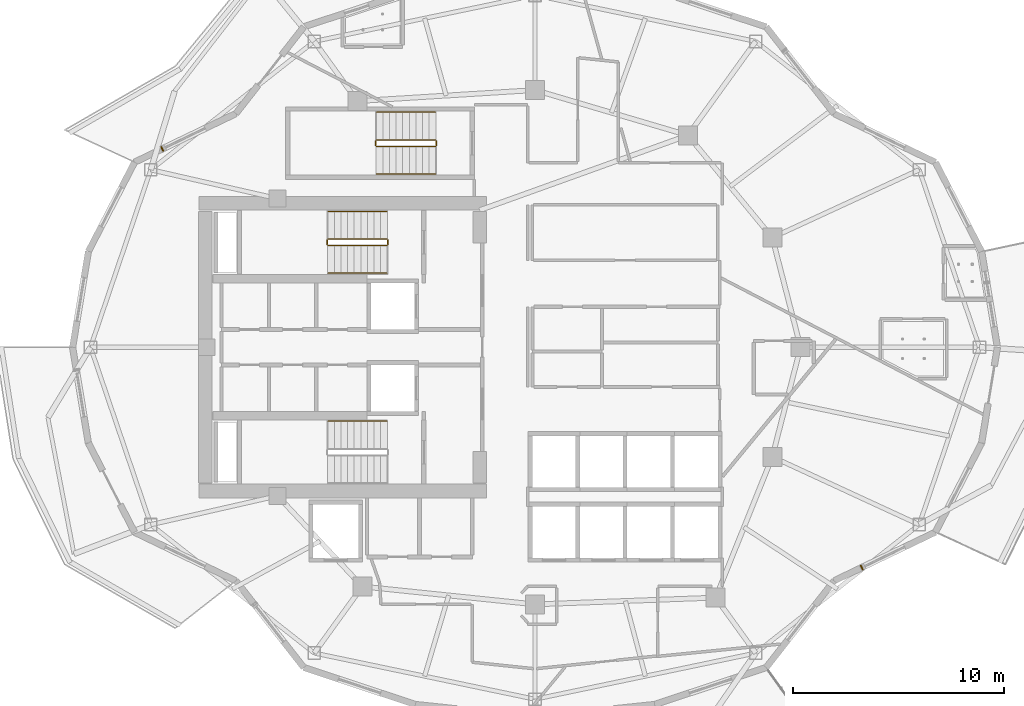
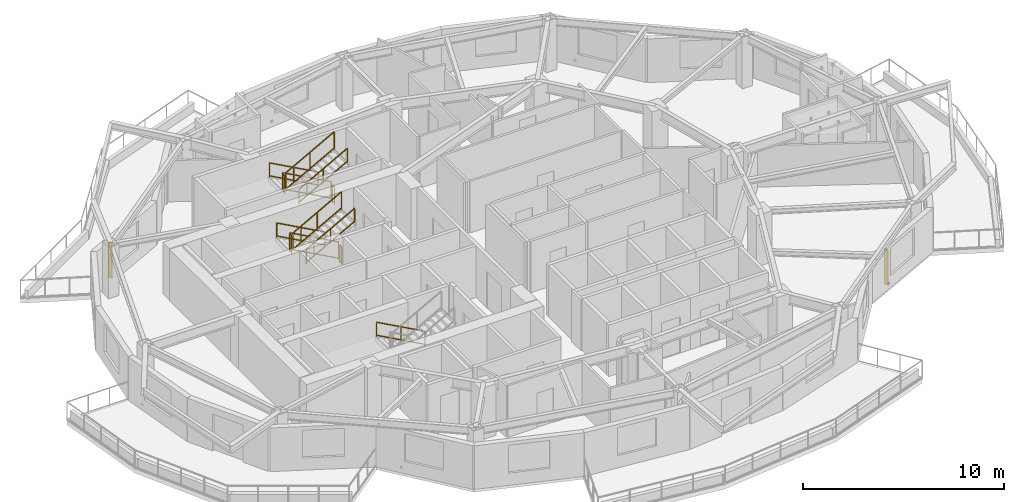
# One storey, part 12 of 14: 13 railings, 2 shading devices.
"""IFC4 building model written with IfcOpenShell, lengths in metres."""

import ifcopenshell
import ifcopenshell.guid

model = None  # the IFC model being written
_history = None  # IfcOwnerHistory: only IFC2X3 demands one
_inside = {}  # id of a spatial element -> (the spatial element, [elements in it])
_under = {}  # id of a project, library or spatial element -> (it, [spatial elements below it])
_declared = {}  # id of a project -> (the project, [libraries it declares])
_typed = {}  # id of a type object -> (the type object, [elements of that type])
_made_of = {}  # id of a material, layer set ... -> (it, [elements and type objects made of it])


def new_model(schema):
    """Start an empty IFC model of exactly this schema.

    Asked for "IFC4X3", IfcOpenShell would pick the latest addendum, in which some entities
    have other attributes; the version numbers below select the first issue.
    IFC2X3 requires an IfcOwnerHistory on every rooted entity: one is made here for all.
    """
    global model, _history
    if schema == "IFC4X3":
        model = ifcopenshell.file(schema_version=(4, 3, 0, 0))
    else:
        model = ifcopenshell.file(schema=schema)
    _inside.clear()
    _under.clear()
    _declared.clear()
    _typed.clear()
    _made_of.clear()
    _history = None
    if model.schema == "IFC2X3":
        org = make("IfcOrganization", Name="unknown")
        user = make(
            "IfcPersonAndOrganization",
            ThePerson=make("IfcPerson", FamilyName="unknown"),
            TheOrganization=org,
        )
        app = make(
            "IfcApplication",
            ApplicationDeveloper=org,
            Version="unknown",
            ApplicationFullName="unknown",
            ApplicationIdentifier="unknown",
        )
        _history = make(
            "IfcOwnerHistory",
            OwningUser=user,
            OwningApplication=app,
            ChangeAction="ADDED",
            CreationDate=0,
        )
    return model


def make(cls, **values):
    """One entity of the class cls with the attributes given. An attribute that is None is left unset."""
    return model.create_entity(
        cls, **{name: value for name, value in values.items() if value is not None}
    )


def rooted(cls, **values):
    """An entity with a GlobalId (a new one), such as an element, a storey or a relation."""
    return make(cls, GlobalId=ifcopenshell.guid.new(), OwnerHistory=_history, **values)


def si_unit(unit_type, name, prefix=None):
    """IfcSIUnit, for example si_unit("LENGTHUNIT", "METRE", prefix="MILLI")."""
    return make("IfcSIUnit", UnitType=unit_type, Prefix=prefix, Name=name)


def assignment(units):
    """IfcUnitAssignment: the units of a project."""
    return None if units is None else make("IfcUnitAssignment", Units=units)


def point(xyz):
    """IfcCartesianPoint."""
    return None if xyz is None else make("IfcCartesianPoint", Coordinates=xyz)


def direction(xyz):
    """IfcDirection."""
    return None if xyz is None else make("IfcDirection", DirectionRatios=xyz)


def frame(location, z_axis=None, x_axis=None):
    """IfcAxis2Placement3D, a coordinate frame: its origin and axes. An axis left out is left unset."""
    return make(
        "IfcAxis2Placement3D",
        Location=point(location),
        Axis=direction(z_axis),
        RefDirection=direction(x_axis),
    )


def frame_2d(location, x_axis=None):
    """IfcAxis2Placement2D, a coordinate frame in the plane: its origin and x axis."""
    return make(
        "IfcAxis2Placement2D", Location=point(location), RefDirection=direction(x_axis)
    )


def origin():
    """The frame at (0, 0, 0) with its axes left unset."""
    return frame((0.0, 0.0, 0.0))


def origin_2d():
    """The frame at (0, 0) in the plane with its x axis left unset."""
    return frame_2d((0.0, 0.0))


def place(relative_to, where):
    """IfcLocalPlacement: puts the frame where relative to a parent placement (None: the world)."""
    return make(
        "IfcLocalPlacement", PlacementRelTo=relative_to, RelativePlacement=where
    )


def context(
    kind, dimensions, precision=None, world=None, true_north=None, identifier=None
):
    """IfcGeometricRepresentationContext, for example the 3D "Model" context."""
    return make(
        "IfcGeometricRepresentationContext",
        ContextIdentifier=identifier,
        ContextType=kind,
        CoordinateSpaceDimension=dimensions,
        Precision=precision,
        WorldCoordinateSystem=world,
        TrueNorth=true_north,
    )


def subcontext(parent, identifier, kind, view, scale=None):
    """IfcGeometricRepresentationSubContext, for example "Body" below "Model"."""
    return make(
        "IfcGeometricRepresentationSubContext",
        ContextIdentifier=identifier,
        ContextType=kind,
        ParentContext=parent,
        TargetScale=scale,
        TargetView=view,
    )


def project(units=None, contexts=None):
    """IfcProject with its units and contexts."""
    return rooted(
        "IfcProject",
        Name="project",
        RepresentationContexts=contexts,
        UnitsInContext=assignment(units),
    )


def spatial(cls, under=None, at=None, **own):
    """A site, building, storey or space (cls), placed at a placement, below another one or the project."""
    s = rooted(cls, ObjectPlacement=at, **own)
    if under is not None:
        _under.setdefault(under.id(), (under, []))[1].append(s)
    return s


def profile(cls, at=None, kind="AREA", **sizes):
    """A parametric profile (cls). Its sizes go by their IFC names, for example OverallWidth=200.0."""
    return make(cls, ProfileType=kind, Position=at, **sizes)


def rectangle(**sizes):
    """IfcRectangleProfileDef."""
    return profile("IfcRectangleProfileDef", **sizes)


def extrude(swept, where, along, depth):
    """IfcExtrudedAreaSolid: the profile swept, set in the frame where, extruded along a direction by depth."""
    return make(
        "IfcExtrudedAreaSolid",
        SweptArea=swept,
        Position=where,
        ExtrudedDirection=direction(along),
        Depth=depth,
    )


def shape(context_of_items, identifier, shape_type, items):
    """IfcShapeRepresentation: the items that make up one representation, for example the "Body"."""
    return make(
        "IfcShapeRepresentation",
        ContextOfItems=context_of_items,
        RepresentationIdentifier=identifier,
        RepresentationType=shape_type,
        Items=items,
    )


def material(Name=None, Category=None):
    """IfcMaterial."""
    return make("IfcMaterial", Name=Name, Category=Category)


def made_of(thing, what):
    """Note that an element or type object is made of a material, layer set ...; save() writes the relation."""
    if what is not None:
        _made_of.setdefault(what.id(), (what, []))[1].append(thing)
    return thing


def type_object(cls, material=None, **own):
    """A type object (cls), such as IfcWallType, which elements share."""
    return made_of(rooted(cls, **own), material)


def element(
    cls,
    number,
    at=None,
    inside=None,
    cuts=None,
    type_object=None,
    material=None,
    context=None,
    identifier="Body",
    shape_type=None,
    held_by="IfcProductDefinitionShape",
    body=None,
    shapes=None,
    **own,
):
    """One element of the class cls, such as IfcWall. Its Tag is "e" and its number.

    at: its placement. inside: the storey or other place that contains it. cuts: it is an
    opening in that element (IfcRelVoidsElement). A single representation is given by context,
    identifier, shape_type and body (its items); several are given by shapes. held_by: the class
    of the entity that holds the representations. save() writes the other relations.
    """
    e = rooted(cls, Tag="e%d" % number, ObjectPlacement=at, **own)
    if body is not None:
        shapes = [shape(context, identifier, shape_type, body)]
    if shapes is not None:
        e.Representation = make(held_by, Representations=shapes)
    if inside is not None:
        _inside.setdefault(inside.id(), (inside, []))[1].append(e)
    if cuts is not None:
        rooted(
            "IfcRelVoidsElement", RelatingBuildingElement=cuts, RelatedOpeningElement=e
        )
    if type_object is not None:
        _typed.setdefault(type_object.id(), (type_object, []))[1].append(e)
    return made_of(e, material)


def aggregate(whole, parts):
    """IfcRelAggregates: a whole, such as a stair, and the parts it consists of."""
    return rooted("IfcRelAggregates", RelatingObject=whole, RelatedObjects=parts)


def save(model, path):
    """Write the relations noted so far, then the file.

    IfcRelAggregates (storeys below a building ...), IfcRelContainedInSpatialStructure (elements
    in a storey), IfcRelDefinesByType, IfcRelAssociatesMaterial and IfcRelDeclares: one each for
    every whole, place, type object, material and project.
    """
    for whole, parts in _under.values():
        aggregate(whole, parts)
    for where, things in _inside.values():
        rooted(
            "IfcRelContainedInSpatialStructure",
            RelatedElements=things,
            RelatingStructure=where,
        )
    for kind, things in _typed.values():
        rooted("IfcRelDefinesByType", RelatedObjects=things, RelatingType=kind)
    for what, things in _made_of.values():
        rooted("IfcRelAssociatesMaterial", RelatedObjects=things, RelatingMaterial=what)
    for by, libraries in _declared.values():
        rooted("IfcRelDeclares", RelatingContext=by, RelatedDefinitions=libraries)
    model.write(path)


model = new_model("IFC4")

# Units and contexts
model_context = context("Model", 3, precision=1e-05, world=origin(), true_north=direction((0.0, 1.0)))
body_context = subcontext(model_context, "Body", "Model", "MODEL_VIEW")
ifc_project = project(units=[si_unit("LENGTHUNIT", "METRE"), si_unit("AREAUNIT", "SQUARE_METRE"), si_unit("VOLUMEUNIT", "CUBIC_METRE"), si_unit("PLANEANGLEUNIT", "RADIAN"), si_unit("MASSUNIT", "GRAM", prefix="KILO")], contexts=[model_context])

# Site, building, storey
site_placement = place(None, origin())
site = spatial("IfcSite", under=ifc_project, at=site_placement, CompositionType="ELEMENT")
building_placement = place(site_placement, origin())
building = spatial("IfcBuilding", under=site, at=building_placement, Name="Kolvaren Gate Tower and Convention Centre", CompositionType="ELEMENT")
storey_placement = place(building_placement, frame((0.0, 0.0, 173.300048828125)))
storey = spatial("IfcBuildingStorey", under=building, at=storey_placement, Name="L45", CompositionType="ELEMENT", Elevation=173.300048828125)

# Railings
ifc_material_1 = material(Name="Brushed Stainless Steel Grade 316L", Category="steel")
railing_type_1 = type_object("IfcRailingType", Name="ARCH-RL-GUARD-1150", PredefinedType="GUARDRAIL", material=ifc_material_1)
railing_1_placement = place(storey_placement, frame((23.10009765625, 32.1298828125, 0.169921875)))
element("IfcRailing", 1, at=railing_1_placement, inside=storey, type_object=railing_type_1, Name="L45 ST-T1 stair guard 1", PredefinedType="GUARDRAIL", context=body_context, shape_type="SweptSolid", body=[
    extrude(rectangle(XDim=0.048095703125, YDim=0.048095703125, at=origin_2d()), frame((0.0, 0.0, 1.076171875), z_axis=(-0.876811365212, 0.0, 0.480834513982), x_axis=(0.0, -1.0, 0.0)), (0.0, 0.0, 1.0), 3.18212890625),
    extrude(rectangle(XDim=0.048095703125, YDim=0.048095703125, at=origin_2d()), frame((0.0, 0.0, 0.083984375), z_axis=(-0.876811365212, 0.0, 0.480834513982), x_axis=(0.0, -1.0, 0.0)), (0.0, 0.0, 1.0), 3.18212890625),
    extrude(rectangle(XDim=0.0419921875, YDim=0.0419921875, at=origin_2d()), origin(), (0.0, 0.0, 1.0), 1.050048828125),
    extrude(rectangle(XDim=0.0419921875, YDim=0.0419921875, at=origin_2d()), frame((-2.7900390625, 0.0, 1.530029296875)), (0.0, 0.0, 1.0), 1.050048828125),
    extrude(rectangle(XDim=0.0419921875, YDim=0.0419921875, at=origin_2d()), frame((-1.39501953125, 0.0, 0.76513671875)), (0.0, 0.0, 1.0), 1.050048828125),
])
railing_2_placement = place(storey_placement, frame((20.260009765625, 32.080078125, 1.699951171875)))
element("IfcRailing", 2, at=railing_2_placement, inside=storey, type_object=railing_type_1, Name="L45 ST-T1 stair guard 2", PredefinedType="GUARDRAIL", context=body_context, shape_type="SweptSolid", body=[
    extrude(rectangle(XDim=0.048095703125, YDim=0.048095703125, at=origin_2d()), frame((0.0, 0.0, 1.076171875), z_axis=(0.0, -1.0, 0.0), x_axis=(1.0, 0.0, 0.0)), (0.0, 0.0, 1.0), 0.2001953125),
    extrude(rectangle(XDim=0.048095703125, YDim=0.048095703125, at=origin_2d()), frame((0.0, 0.0, 0.083984375), z_axis=(0.0, -1.0, 0.0), x_axis=(1.0, 0.0, 0.0)), (0.0, 0.0, 1.0), 0.2001953125),
    extrude(rectangle(XDim=0.0419921875, YDim=0.0419921875, at=origin_2d()), origin(), (0.0, 0.0, 1.0), 1.050048828125),
    extrude(rectangle(XDim=0.0419921875, YDim=0.0419921875, at=origin_2d()), frame((0.0, -0.2001953125, 0.0)), (0.0, 0.0, 1.0), 1.050048828125),
])
railing_3_placement = place(storey_placement, frame((20.31005859375, 31.830078125, 1.869873046875)))
element("IfcRailing", 3, at=railing_3_placement, inside=storey, type_object=railing_type_1, Name="L45 ST-T1 stair guard 3", PredefinedType="GUARDRAIL", context=body_context, shape_type="SweptSolid", body=[
    extrude(rectangle(XDim=0.048095703125, YDim=0.048095703125, at=origin_2d()), frame((0.0, 0.0, 1.076171875), z_axis=(0.876811365212, 0.0, 0.480834513982), x_axis=(0.0, 1.0, 0.0)), (0.0, 0.0, 1.0), 3.18212890625),
    extrude(rectangle(XDim=0.048095703125, YDim=0.048095703125, at=origin_2d()), frame((0.0, 0.0, 0.083984375), z_axis=(0.876811365212, 0.0, 0.480834513982), x_axis=(0.0, 1.0, 0.0)), (0.0, 0.0, 1.0), 3.18212890625),
    extrude(rectangle(XDim=0.0419921875, YDim=0.0419921875, at=origin_2d()), origin(), (0.0, 0.0, 1.0), 1.050048828125),
    extrude(rectangle(XDim=0.0419921875, YDim=0.0419921875, at=origin_2d()), frame((2.7900390625, 0.0, 1.530029296875)), (0.0, 0.0, 1.0), 1.050048828125),
    extrude(rectangle(XDim=0.0419921875, YDim=0.0419921875, at=origin_2d()), frame((1.39501953125, 0.0, 0.76513671875)), (0.0, 0.0, 1.0), 1.050048828125),
])
railing_4_placement = place(storey_placement, frame((23.14990234375, 32.080078125, 0.0)))
element("IfcRailing", 4, at=railing_4_placement, inside=storey, type_object=railing_type_1, Name="L45 ST-T1 stair guard 4", PredefinedType="GUARDRAIL", context=body_context, shape_type="SweptSolid", body=[
    extrude(rectangle(XDim=0.048095703125, YDim=0.048095703125, at=origin_2d()), frame((0.0, 0.0, 1.076171875), z_axis=(0.0, -1.0, 0.0), x_axis=(1.0, 0.0, 0.0)), (0.0, 0.0, 1.0), 0.2001953125),
    extrude(rectangle(XDim=0.048095703125, YDim=0.048095703125, at=origin_2d()), frame((0.0, 0.0, 0.083984375), z_axis=(0.0, -1.0, 0.0), x_axis=(1.0, 0.0, 0.0)), (0.0, 0.0, 1.0), 0.2001953125),
    extrude(rectangle(XDim=0.0419921875, YDim=0.0419921875, at=origin_2d()), origin(), (0.0, 0.0, 1.0), 1.050048828125),
    extrude(rectangle(XDim=0.0419921875, YDim=0.0419921875, at=origin_2d()), frame((0.0, -0.2001953125, 0.0)), (0.0, 0.0, 1.0), 1.050048828125),
])
railing_5_placement = place(storey_placement, frame((25.39990234375, 36.830078125, 0.169921875)))
element("IfcRailing", 5, at=railing_5_placement, inside=storey, type_object=railing_type_1, Name="L45 ST-T3 stair guard 1", PredefinedType="GUARDRAIL", context=body_context, shape_type="SweptSolid", body=[
    extrude(rectangle(XDim=0.048095703125, YDim=0.048095703125, at=origin_2d()), frame((0.0, 0.0, 1.076171875), z_axis=(-0.8767936245, 0.0, 0.480866863109), x_axis=(0.0, -1.0, 0.0)), (0.0, 0.0, 1.0), 3.181884765625),
    extrude(rectangle(XDim=0.048095703125, YDim=0.048095703125, at=origin_2d()), frame((0.0, 0.0, 0.083984375), z_axis=(-0.8767936245, 0.0, 0.480866863109), x_axis=(0.0, -1.0, 0.0)), (0.0, 0.0, 1.0), 3.181884765625),
    extrude(rectangle(XDim=0.0419921875, YDim=0.0419921875, at=origin_2d()), origin(), (0.0, 0.0, 1.0), 1.050048828125),
    extrude(rectangle(XDim=0.0419921875, YDim=0.0419921875, at=origin_2d()), frame((-2.789794921875, 0.0, 1.530029296875)), (0.0, 0.0, 1.0), 1.050048828125),
    extrude(rectangle(XDim=0.0419921875, YDim=0.0419921875, at=origin_2d()), frame((-1.39501953125, 0.0, 0.76513671875)), (0.0, 0.0, 1.0), 1.050048828125),
])
railing_6_placement = place(storey_placement, frame((22.56005859375, 36.780029296875, 1.699951171875)))
element("IfcRailing", 6, at=railing_6_placement, inside=storey, type_object=railing_type_1, Name="L45 ST-T3 stair guard 2", PredefinedType="GUARDRAIL", context=body_context, shape_type="SweptSolid", body=[
    extrude(rectangle(XDim=0.048095703125, YDim=0.048095703125, at=origin_2d()), frame((0.0, 0.0, 1.076171875), z_axis=(0.0, -1.0, 0.0), x_axis=(1.0, 0.0, 0.0)), (0.0, 0.0, 1.0), 0.199951171875),
    extrude(rectangle(XDim=0.048095703125, YDim=0.048095703125, at=origin_2d()), frame((0.0, 0.0, 0.083984375), z_axis=(0.0, -1.0, 0.0), x_axis=(1.0, 0.0, 0.0)), (0.0, 0.0, 1.0), 0.199951171875),
    extrude(rectangle(XDim=0.0419921875, YDim=0.0419921875, at=origin_2d()), origin(), (0.0, 0.0, 1.0), 1.050048828125),
    extrude(rectangle(XDim=0.0419921875, YDim=0.0419921875, at=origin_2d()), frame((0.0, -0.199951171875, 0.0)), (0.0, 0.0, 1.0), 1.050048828125),
])
railing_7_placement = place(storey_placement, frame((22.610107421875, 36.530029296875, 1.869873046875)))
element("IfcRailing", 7, at=railing_7_placement, inside=storey, type_object=railing_type_1, Name="L45 ST-T3 stair guard 3", PredefinedType="GUARDRAIL", context=body_context, shape_type="SweptSolid", body=[
    extrude(rectangle(XDim=0.048095703125, YDim=0.048095703125, at=origin_2d()), frame((0.0, 0.0, 1.076171875), z_axis=(0.8767936245, 0.0, 0.480866863109), x_axis=(0.0, 1.0, 0.0)), (0.0, 0.0, 1.0), 3.181884765625),
    extrude(rectangle(XDim=0.048095703125, YDim=0.048095703125, at=origin_2d()), frame((0.0, 0.0, 0.083984375), z_axis=(0.8767936245, 0.0, 0.480866863109), x_axis=(0.0, 1.0, 0.0)), (0.0, 0.0, 1.0), 3.181884765625),
    extrude(rectangle(XDim=0.0419921875, YDim=0.0419921875, at=origin_2d()), origin(), (0.0, 0.0, 1.0), 1.050048828125),
    extrude(rectangle(XDim=0.0419921875, YDim=0.0419921875, at=origin_2d()), frame((2.789794921875, 0.0, 1.530029296875)), (0.0, 0.0, 1.0), 1.050048828125),
    extrude(rectangle(XDim=0.0419921875, YDim=0.0419921875, at=origin_2d()), frame((1.39501953125, 0.0, 0.76513671875)), (0.0, 0.0, 1.0), 1.050048828125),
])
railing_8_placement = place(storey_placement, frame((25.449951171875, 36.780029296875, 0.0)))
element("IfcRailing", 8, at=railing_8_placement, inside=storey, type_object=railing_type_1, Name="L45 ST-T3 stair guard 4", PredefinedType="GUARDRAIL", context=body_context, shape_type="SweptSolid", body=[
    extrude(rectangle(XDim=0.048095703125, YDim=0.048095703125, at=origin_2d()), frame((0.0, 0.0, 1.076171875), z_axis=(0.0, -1.0, 0.0), x_axis=(1.0, 0.0, 0.0)), (0.0, 0.0, 1.0), 0.199951171875),
    extrude(rectangle(XDim=0.048095703125, YDim=0.048095703125, at=origin_2d()), frame((0.0, 0.0, 0.083984375), z_axis=(0.0, -1.0, 0.0), x_axis=(1.0, 0.0, 0.0)), (0.0, 0.0, 1.0), 0.199951171875),
    extrude(rectangle(XDim=0.0419921875, YDim=0.0419921875, at=origin_2d()), origin(), (0.0, 0.0, 1.0), 1.050048828125),
    extrude(rectangle(XDim=0.0419921875, YDim=0.0419921875, at=origin_2d()), frame((0.0, -0.199951171875, 0.0)), (0.0, 0.0, 1.0), 1.050048828125),
])
railing_type_2 = type_object("IfcRailingType", Name="ARCH-RL-HANDRAIL-920", PredefinedType="HANDRAIL", material=ifc_material_1)
railing_9_placement = place(storey_placement, frame((23.10009765625, 33.449951171875, 0.169921875)))
element("IfcRailing", 9, at=railing_9_placement, inside=storey, type_object=railing_type_2, Name="L45 ST-T1 stair handrail 1", PredefinedType="HANDRAIL", context=body_context, shape_type="SweptSolid", body=[
    extrude(rectangle(XDim=0.048095703125, YDim=0.048095703125, at=origin_2d()), frame((0.0, 0.0, 0.8759765625), z_axis=(-0.876811365212, 0.0, 0.480834513982), x_axis=(0.0, -1.0, 0.0)), (0.0, 0.0, 1.0), 3.18212890625),
    extrude(rectangle(XDim=0.048095703125, YDim=0.048095703125, at=origin_2d()), frame((0.0, 0.0, 0.083984375), z_axis=(-0.876811365212, 0.0, 0.480834513982), x_axis=(0.0, -1.0, 0.0)), (0.0, 0.0, 1.0), 3.18212890625),
    extrude(rectangle(XDim=0.0419921875, YDim=0.0419921875, at=origin_2d()), origin(), (0.0, 0.0, 1.0), 0.849853515625),
    extrude(rectangle(XDim=0.0419921875, YDim=0.0419921875, at=origin_2d()), frame((-2.7900390625, 0.0, 1.530029296875)), (0.0, 0.0, 1.0), 0.849853515625),
    extrude(rectangle(XDim=0.0419921875, YDim=0.0419921875, at=origin_2d()), frame((-1.39501953125, 0.0, 0.76513671875)), (0.0, 0.0, 1.0), 0.849853515625),
])
railing_10_placement = place(storey_placement, frame((20.31005859375, 30.510009765625, 1.869873046875)))
element("IfcRailing", 10, at=railing_10_placement, inside=storey, type_object=railing_type_2, Name="L45 ST-T1 stair handrail 2", PredefinedType="HANDRAIL", context=body_context, shape_type="SweptSolid", body=[
    extrude(rectangle(XDim=0.048095703125, YDim=0.048095703125, at=origin_2d()), frame((0.0, 0.0, 0.8759765625), z_axis=(0.876811365212, 0.0, 0.480834513982), x_axis=(0.0, 1.0, 0.0)), (0.0, 0.0, 1.0), 3.18212890625),
    extrude(rectangle(XDim=0.048095703125, YDim=0.048095703125, at=origin_2d()), frame((0.0, 0.0, 0.083984375), z_axis=(0.876811365212, 0.0, 0.480834513982), x_axis=(0.0, 1.0, 0.0)), (0.0, 0.0, 1.0), 3.18212890625),
    extrude(rectangle(XDim=0.0419921875, YDim=0.0419921875, at=origin_2d()), origin(), (0.0, 0.0, 1.0), 0.849853515625),
    extrude(rectangle(XDim=0.0419921875, YDim=0.0419921875, at=origin_2d()), frame((2.7900390625, 0.0, 1.530029296875)), (0.0, 0.0, 1.0), 0.849853515625),
    extrude(rectangle(XDim=0.0419921875, YDim=0.0419921875, at=origin_2d()), frame((1.39501953125, 0.0, 0.76513671875)), (0.0, 0.0, 1.0), 0.849853515625),
])
railing_11_placement = place(storey_placement, frame((23.10009765625, 23.489990234375, 0.169921875)))
element("IfcRailing", 11, at=railing_11_placement, inside=storey, type_object=railing_type_2, Name="L45 ST-T2 stair handrail 1", PredefinedType="HANDRAIL", context=body_context, shape_type="SweptSolid", body=[
    extrude(rectangle(XDim=0.048095703125, YDim=0.048095703125, at=origin_2d()), frame((0.0, 0.0, 0.8759765625), z_axis=(-0.876811365212, 0.0, 0.480834513982), x_axis=(0.0, -1.0, 0.0)), (0.0, 0.0, 1.0), 3.18212890625),
    extrude(rectangle(XDim=0.048095703125, YDim=0.048095703125, at=origin_2d()), frame((0.0, 0.0, 0.083984375), z_axis=(-0.876811365212, 0.0, 0.480834513982), x_axis=(0.0, -1.0, 0.0)), (0.0, 0.0, 1.0), 3.18212890625),
    extrude(rectangle(XDim=0.0419921875, YDim=0.0419921875, at=origin_2d()), origin(), (0.0, 0.0, 1.0), 0.849853515625),
    extrude(rectangle(XDim=0.0419921875, YDim=0.0419921875, at=origin_2d()), frame((-2.7900390625, 0.0, 1.530029296875)), (0.0, 0.0, 1.0), 0.849853515625),
    extrude(rectangle(XDim=0.0419921875, YDim=0.0419921875, at=origin_2d()), frame((-1.39501953125, 0.0, 0.76513671875)), (0.0, 0.0, 1.0), 0.849853515625),
])
railing_12_placement = place(storey_placement, frame((25.39990234375, 38.14990234375, 0.169921875)))
element("IfcRailing", 12, at=railing_12_placement, inside=storey, type_object=railing_type_2, Name="L45 ST-T3 stair handrail 1", PredefinedType="HANDRAIL", context=body_context, shape_type="SweptSolid", body=[
    extrude(rectangle(XDim=0.048095703125, YDim=0.048095703125, at=origin_2d()), frame((0.0, 0.0, 0.8759765625), z_axis=(-0.8767936245, 0.0, 0.480866863109), x_axis=(0.0, -1.0, 0.0)), (0.0, 0.0, 1.0), 3.181884765625),
    extrude(rectangle(XDim=0.048095703125, YDim=0.048095703125, at=origin_2d()), frame((0.0, 0.0, 0.083984375), z_axis=(-0.8767936245, 0.0, 0.480866863109), x_axis=(0.0, -1.0, 0.0)), (0.0, 0.0, 1.0), 3.181884765625),
    extrude(rectangle(XDim=0.0419921875, YDim=0.0419921875, at=origin_2d()), origin(), (0.0, 0.0, 1.0), 0.849853515625),
    extrude(rectangle(XDim=0.0419921875, YDim=0.0419921875, at=origin_2d()), frame((-2.789794921875, 0.0, 1.530029296875)), (0.0, 0.0, 1.0), 0.849853515625),
    extrude(rectangle(XDim=0.0419921875, YDim=0.0419921875, at=origin_2d()), frame((-1.39501953125, 0.0, 0.76513671875)), (0.0, 0.0, 1.0), 0.849853515625),
])
railing_13_placement = place(storey_placement, frame((22.610107421875, 35.2099609375, 1.869873046875)))
element("IfcRailing", 13, at=railing_13_placement, inside=storey, type_object=railing_type_2, Name="L45 ST-T3 stair handrail 2", PredefinedType="HANDRAIL", context=body_context, shape_type="SweptSolid", body=[
    extrude(rectangle(XDim=0.048095703125, YDim=0.048095703125, at=origin_2d()), frame((0.0, 0.0, 0.8759765625), z_axis=(0.8767936245, 0.0, 0.480866863109), x_axis=(0.0, 1.0, 0.0)), (0.0, 0.0, 1.0), 3.181884765625),
    extrude(rectangle(XDim=0.048095703125, YDim=0.048095703125, at=origin_2d()), frame((0.0, 0.0, 0.083984375), z_axis=(0.8767936245, 0.0, 0.480866863109), x_axis=(0.0, 1.0, 0.0)), (0.0, 0.0, 1.0), 3.181884765625),
    extrude(rectangle(XDim=0.0419921875, YDim=0.0419921875, at=origin_2d()), origin(), (0.0, 0.0, 1.0), 0.849853515625),
    extrude(rectangle(XDim=0.0419921875, YDim=0.0419921875, at=origin_2d()), frame((2.789794921875, 0.0, 1.530029296875)), (0.0, 0.0, 1.0), 0.849853515625),
    extrude(rectangle(XDim=0.0419921875, YDim=0.0419921875, at=origin_2d()), frame((1.39501953125, 0.0, 0.76513671875)), (0.0, 0.0, 1.0), 0.849853515625),
])

# Shading devices
ifc_material_2 = material(Name="Kiln-Fired Bogota Terracotta Ceramic Louvre Profile", Category="masonry")
shading_device_type = type_object("IfcShadingDeviceType", Name="ARCH-SHD-FIN-180", PredefinedType="JALOUSIE", material=ifc_material_2)
for number, where, z_axis, x_axis, name in (
    (14, (12.44091796875, 36.406494140625, 0.219970703125), (0.0, 0.0, 1.0), (0.901358389955, 0.433073957723, 0.0), "Ceramic Vertical Brise-Soleil Fin FN-L45-09"),
    (15, (45.627685546875, 16.54541015625, 0.219970703125), (0.0, 0.0, 1.0), (0.901358389955, 0.433073957723, 0.0), "Ceramic Vertical Brise-Soleil Fin FN-L45-21"),
):
    element("IfcShadingDevice", number, at=place(storey_placement, frame(where, z_axis=z_axis, x_axis=x_axis)), inside=storey, type_object=shading_device_type, Name=name, PredefinedType="JALOUSIE", context=body_context, shape_type="SweptSolid", body=[
        extrude(rectangle(XDim=0.06005859375, YDim=0.239990234375, at=origin_2d()), origin(), (0.0, 0.0, 1.0), 2.14990234375),
    ])

save(model, "model.ifc")
